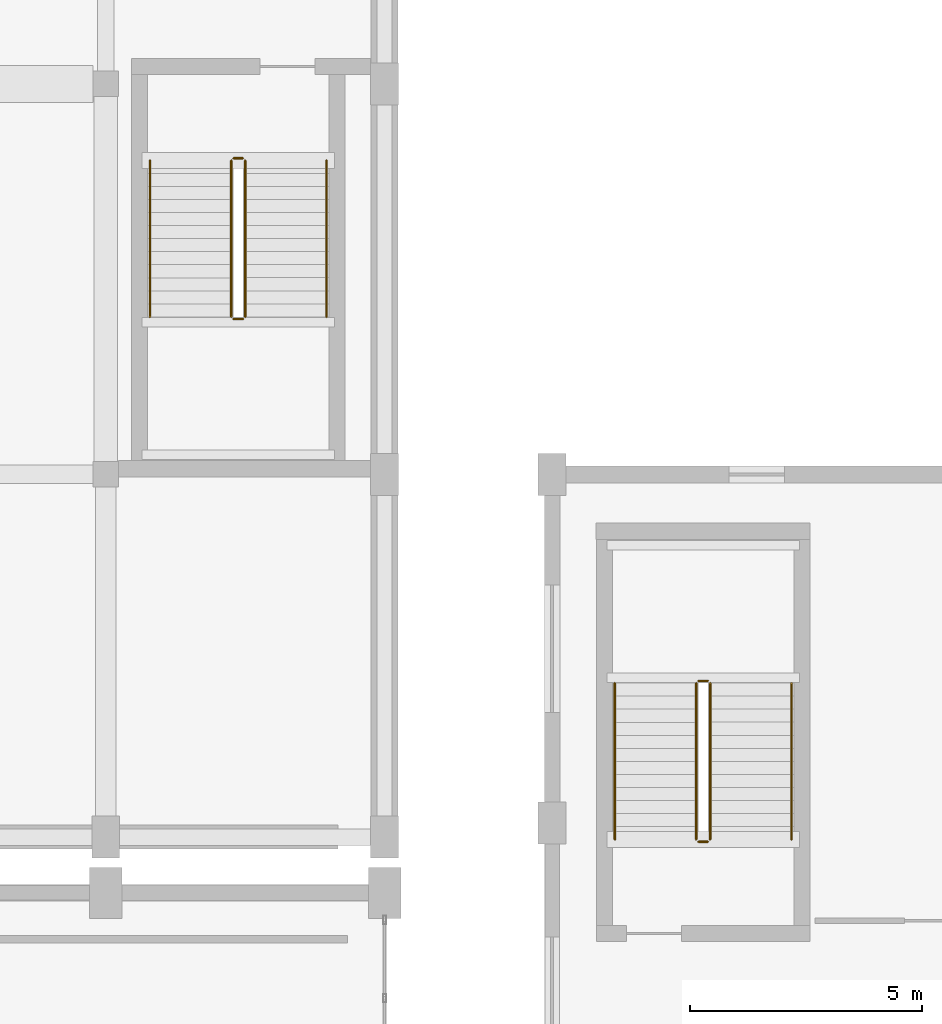
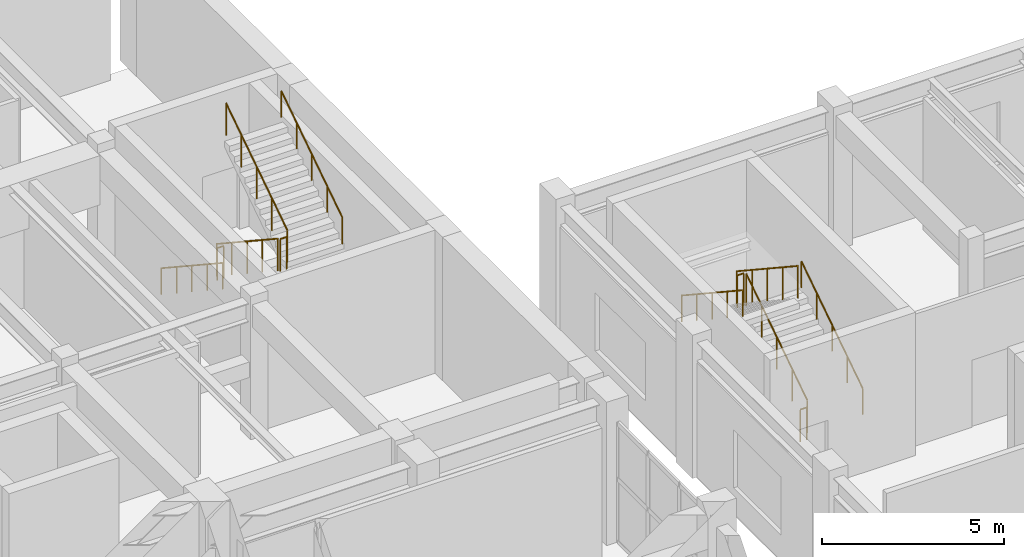
# One storey, part 61 of 62: 12 railings.
"""IFC4 building model written with IfcOpenShell, lengths in metres."""

from ifc_helpers import new_model, si_unit, direction, frame, origin, origin_2d, place, context, subcontext, project, spatial, circle, extrude, material, type_object, element, save


model = new_model("IFC4")

# Units and contexts
model_context = context("Model", 3, precision=1e-05, world=origin(), true_north=direction((0.0, 1.0)))
body_context = subcontext(model_context, "Body", "Model", "MODEL_VIEW")
ifc_project = project(units=[si_unit("LENGTHUNIT", "METRE"), si_unit("AREAUNIT", "SQUARE_METRE"), si_unit("VOLUMEUNIT", "CUBIC_METRE"), si_unit("PLANEANGLEUNIT", "RADIAN"), si_unit("MASSUNIT", "GRAM", prefix="KILO")], contexts=[model_context])

# Site, building, storey
site_placement = place(None, origin())
site = spatial("IfcSite", under=ifc_project, at=site_placement, CompositionType="ELEMENT")
building_placement = place(site_placement, origin())
building = spatial("IfcBuilding", under=site, at=building_placement, Name="Vaelkrest Opera House", CompositionType="ELEMENT")
storey_placement = place(building_placement, frame((0.0, 0.0, 19.800048828125)))
storey = spatial("IfcBuildingStorey", under=building, at=storey_placement, Name="L04", CompositionType="ELEMENT", Elevation=19.800048828125)

# Railings
ifc_material = material(Name="Dark bronze anodized aluminium", Category="aluminium")
railing_type_1 = type_object("IfcRailingType", Name="GR02", PredefinedType="GUARDRAIL", material=ifc_material)
railing_1_placement = place(storey_placement, frame((26.699951171875, 31.949951171875, 0.1845703125)))
element("IfcRailing", 1, at=railing_1_placement, inside=storey, type_object=railing_type_1, Name="L04 ST06 stair guard 1", PredefinedType="GUARDRAIL", context=body_context, shape_type="SweptSolid", body=[
    extrude(circle(Radius=0.02392578125, at=origin_2d()), frame((0.0, 0.0, 1.076171875), z_axis=(0.0, -0.834858096282, 0.550465220583), x_axis=(1.0, 0.0, 0.0)), (0.0, 0.0, 1.0), 4.0244140625),
    extrude(circle(Radius=0.02099609375, at=origin_2d()), origin(), (0.0, 0.0, 1.0), 1.052001953125),
    extrude(circle(Radius=0.02099609375, at=origin_2d()), frame((0.0, -0.83984375, 0.5537109375)), (0.0, 0.0, 1.0), 1.052001953125),
    extrude(circle(Radius=0.02099609375, at=origin_2d()), frame((0.0, -1.679931640625, 1.107666015625)), (0.0, 0.0, 1.0), 1.052001953125),
    extrude(circle(Radius=0.02099609375, at=origin_2d()), frame((0.0, -2.52001953125, 1.66162109375)), (0.0, 0.0, 1.0), 1.052001953125),
    extrude(circle(Radius=0.02099609375, at=origin_2d()), frame((0.0, -3.35986328125, 2.21533203125)), (0.0, 0.0, 1.0), 1.052001953125),
])
railing_2_placement = place(storey_placement, frame((26.75, 28.5400390625, 2.39990234375)))
element("IfcRailing", 2, at=railing_2_placement, inside=storey, type_object=railing_type_1, Name="L04 ST06 stair guard 2", PredefinedType="GUARDRAIL", context=body_context, shape_type="SweptSolid", body=[
    extrude(circle(Radius=0.02392578125, at=origin_2d()), frame((0.0, 0.0, 1.076171875), z_axis=(1.0, 0.0, 0.0), x_axis=(0.0, 1.0, 0.0)), (0.0, 0.0, 1.0), 0.199951171875),
    extrude(circle(Radius=0.02099609375, at=origin_2d()), origin(), (0.0, 0.0, 1.0), 1.052001953125),
    extrude(circle(Radius=0.02099609375, at=origin_2d()), frame((0.199951171875, 0.0, 0.0)), (0.0, 0.0, 1.0), 1.052001953125),
])
railing_3_placement = place(storey_placement, frame((27.0, 28.590087890625, 2.58447265625)))
element("IfcRailing", 3, at=railing_3_placement, inside=storey, type_object=railing_type_1, Name="L04 ST06 stair guard 3", PredefinedType="GUARDRAIL", context=body_context, shape_type="SweptSolid", body=[
    extrude(circle(Radius=0.02392578125, at=origin_2d()), frame((0.0, 0.0, 1.076171875), z_axis=(0.0, 0.83483021737, 0.550507500554), x_axis=(-1.0, 0.0, 0.0)), (0.0, 0.0, 1.0), 4.024658203125),
    extrude(circle(Radius=0.02099609375, at=origin_2d()), origin(), (0.0, 0.0, 1.0), 1.052001953125),
    extrude(circle(Radius=0.02099609375, at=origin_2d()), frame((0.0, 0.83984375, 0.553955078125)), (0.0, 0.0, 1.0), 1.052001953125),
    extrude(circle(Radius=0.02099609375, at=origin_2d()), frame((0.0, 1.679931640625, 1.10791015625)), (0.0, 0.0, 1.0), 1.052001953125),
    extrude(circle(Radius=0.02099609375, at=origin_2d()), frame((0.0, 2.52001953125, 1.66162109375)), (0.0, 0.0, 1.0), 1.052001953125),
    extrude(circle(Radius=0.02099609375, at=origin_2d()), frame((0.0, 3.35986328125, 2.215576171875)), (0.0, 0.0, 1.0), 1.052001953125),
])
railing_4_placement = place(storey_placement, frame((26.75, 32.0, 0.0)))
element("IfcRailing", 4, at=railing_4_placement, inside=storey, type_object=railing_type_1, Name="L04 ST06 stair guard 4", PredefinedType="GUARDRAIL", context=body_context, shape_type="SweptSolid", body=[
    extrude(circle(Radius=0.02392578125, at=origin_2d()), frame((0.0, 0.0, 1.076171875), z_axis=(1.0, 0.0, 0.0), x_axis=(0.0, 1.0, 0.0)), (0.0, 0.0, 1.0), 0.199951171875),
    extrude(circle(Radius=0.02099609375, at=origin_2d()), origin(), (0.0, 0.0, 1.0), 1.052001953125),
    extrude(circle(Radius=0.02099609375, at=origin_2d()), frame((0.199951171875, 0.0, 0.0)), (0.0, 0.0, 1.0), 1.052001953125),
])
railing_5_placement = place(storey_placement, frame((37.0, 17.35009765625, 0.1845703125)))
element("IfcRailing", 5, at=railing_5_placement, inside=storey, type_object=railing_type_1, Name="L04 ST09 stair guard 1", PredefinedType="GUARDRAIL", context=body_context, shape_type="SweptSolid", body=[
    extrude(circle(Radius=0.02392578125, at=origin_2d()), frame((0.0, 0.0, 1.076171875), z_axis=(0.0, 0.834858096282, 0.550465220583), x_axis=(-1.0, 0.0, 0.0)), (0.0, 0.0, 1.0), 4.0244140625),
    extrude(circle(Radius=0.02099609375, at=origin_2d()), origin(), (0.0, 0.0, 1.0), 1.052001953125),
    extrude(circle(Radius=0.02099609375, at=origin_2d()), frame((0.0, 0.83984375, 0.5537109375)), (0.0, 0.0, 1.0), 1.052001953125),
    extrude(circle(Radius=0.02099609375, at=origin_2d()), frame((0.0, 1.679931640625, 1.107666015625)), (0.0, 0.0, 1.0), 1.052001953125),
    extrude(circle(Radius=0.02099609375, at=origin_2d()), frame((0.0, 2.52001953125, 1.66162109375)), (0.0, 0.0, 1.0), 1.052001953125),
    extrude(circle(Radius=0.02099609375, at=origin_2d()), frame((0.0, 3.35986328125, 2.21533203125)), (0.0, 0.0, 1.0), 1.052001953125),
])
railing_6_placement = place(storey_placement, frame((36.949951171875, 20.760009765625, 2.39990234375)))
element("IfcRailing", 6, at=railing_6_placement, inside=storey, type_object=railing_type_1, Name="L04 ST09 stair guard 2", PredefinedType="GUARDRAIL", context=body_context, shape_type="SweptSolid", body=[
    extrude(circle(Radius=0.02392578125, at=origin_2d()), frame((0.0, 0.0, 1.076171875), z_axis=(-1.0, 0.0, 0.0), x_axis=(0.0, -1.0, 0.0)), (0.0, 0.0, 1.0), 0.199951171875),
    extrude(circle(Radius=0.02099609375, at=origin_2d()), origin(), (0.0, 0.0, 1.0), 1.052001953125),
    extrude(circle(Radius=0.02099609375, at=origin_2d()), frame((-0.199951171875, 0.0, 0.0)), (0.0, 0.0, 1.0), 1.052001953125),
])
railing_7_placement = place(storey_placement, frame((36.699951171875, 20.7099609375, 2.58447265625)))
element("IfcRailing", 7, at=railing_7_placement, inside=storey, type_object=railing_type_1, Name="L04 ST09 stair guard 3", PredefinedType="GUARDRAIL", context=body_context, shape_type="SweptSolid", body=[
    extrude(circle(Radius=0.02392578125, at=origin_2d()), frame((0.0, 0.0, 1.076171875), z_axis=(0.0, -0.83483021737, 0.550507500554), x_axis=(1.0, 0.0, 0.0)), (0.0, 0.0, 1.0), 4.024658203125),
    extrude(circle(Radius=0.02099609375, at=origin_2d()), origin(), (0.0, 0.0, 1.0), 1.052001953125),
    extrude(circle(Radius=0.02099609375, at=origin_2d()), frame((0.0, -0.83984375, 0.553955078125)), (0.0, 0.0, 1.0), 1.052001953125),
    extrude(circle(Radius=0.02099609375, at=origin_2d()), frame((0.0, -1.679931640625, 1.10791015625)), (0.0, 0.0, 1.0), 1.052001953125),
    extrude(circle(Radius=0.02099609375, at=origin_2d()), frame((0.0, -2.52001953125, 1.66162109375)), (0.0, 0.0, 1.0), 1.052001953125),
    extrude(circle(Radius=0.02099609375, at=origin_2d()), frame((0.0, -3.35986328125, 2.215576171875)), (0.0, 0.0, 1.0), 1.052001953125),
])
railing_8_placement = place(storey_placement, frame((36.949951171875, 17.300048828125, 0.0)))
element("IfcRailing", 8, at=railing_8_placement, inside=storey, type_object=railing_type_1, Name="L04 ST09 stair guard 4", PredefinedType="GUARDRAIL", context=body_context, shape_type="SweptSolid", body=[
    extrude(circle(Radius=0.02392578125, at=origin_2d()), frame((0.0, 0.0, 1.076171875), z_axis=(-1.0, 0.0, 0.0), x_axis=(0.0, -1.0, 0.0)), (0.0, 0.0, 1.0), 0.199951171875),
    extrude(circle(Radius=0.02099609375, at=origin_2d()), origin(), (0.0, 0.0, 1.0), 1.052001953125),
    extrude(circle(Radius=0.02099609375, at=origin_2d()), frame((-0.199951171875, 0.0, 0.0)), (0.0, 0.0, 1.0), 1.052001953125),
])
railing_type_2 = type_object("IfcRailingType", Name="HR02", PredefinedType="HANDRAIL", material=ifc_material)
railing_9_placement = place(storey_placement, frame((24.949951171875, 31.949951171875, 0.1845703125)))
element("IfcRailing", 9, at=railing_9_placement, inside=storey, type_object=railing_type_2, Name="L04 ST06 stair handrail 1", PredefinedType="HANDRAIL", context=body_context, shape_type="SweptSolid", body=[
    extrude(circle(Radius=0.02392578125, at=origin_2d()), frame((0.0, 0.0, 0.8759765625), z_axis=(0.0, -0.834858096282, 0.550465220583), x_axis=(1.0, 0.0, 0.0)), (0.0, 0.0, 1.0), 4.0244140625),
    extrude(circle(Radius=0.02099609375, at=origin_2d()), origin(), (0.0, 0.0, 1.0), 0.851806640625),
    extrude(circle(Radius=0.02099609375, at=origin_2d()), frame((0.0, -0.83984375, 0.5537109375)), (0.0, 0.0, 1.0), 0.851806640625),
    extrude(circle(Radius=0.02099609375, at=origin_2d()), frame((0.0, -1.679931640625, 1.107666015625)), (0.0, 0.0, 1.0), 0.851806640625),
    extrude(circle(Radius=0.02099609375, at=origin_2d()), frame((0.0, -2.52001953125, 1.66162109375)), (0.0, 0.0, 1.0), 0.851806640625),
    extrude(circle(Radius=0.02099609375, at=origin_2d()), frame((0.0, -3.35986328125, 2.21533203125)), (0.0, 0.0, 1.0), 0.851806640625),
])
railing_10_placement = place(storey_placement, frame((28.75, 28.590087890625, 2.58447265625)))
element("IfcRailing", 10, at=railing_10_placement, inside=storey, type_object=railing_type_2, Name="L04 ST06 stair handrail 2", PredefinedType="HANDRAIL", context=body_context, shape_type="SweptSolid", body=[
    extrude(circle(Radius=0.02392578125, at=origin_2d()), frame((0.0, 0.0, 0.8759765625), z_axis=(0.0, 0.83483021737, 0.550507500554), x_axis=(-1.0, 0.0, 0.0)), (0.0, 0.0, 1.0), 4.024658203125),
    extrude(circle(Radius=0.02099609375, at=origin_2d()), origin(), (0.0, 0.0, 1.0), 0.851806640625),
    extrude(circle(Radius=0.02099609375, at=origin_2d()), frame((0.0, 0.83984375, 0.553955078125)), (0.0, 0.0, 1.0), 0.851806640625),
    extrude(circle(Radius=0.02099609375, at=origin_2d()), frame((0.0, 1.679931640625, 1.10791015625)), (0.0, 0.0, 1.0), 0.851806640625),
    extrude(circle(Radius=0.02099609375, at=origin_2d()), frame((0.0, 2.52001953125, 1.66162109375)), (0.0, 0.0, 1.0), 0.851806640625),
    extrude(circle(Radius=0.02099609375, at=origin_2d()), frame((0.0, 3.35986328125, 2.215576171875)), (0.0, 0.0, 1.0), 0.851806640625),
])
railing_11_placement = place(storey_placement, frame((38.75, 17.35009765625, 0.1845703125)))
element("IfcRailing", 11, at=railing_11_placement, inside=storey, type_object=railing_type_2, Name="L04 ST09 stair handrail 1", PredefinedType="HANDRAIL", context=body_context, shape_type="SweptSolid", body=[
    extrude(circle(Radius=0.02392578125, at=origin_2d()), frame((0.0, 0.0, 0.8759765625), z_axis=(0.0, 0.834858096282, 0.550465220583), x_axis=(-1.0, 0.0, 0.0)), (0.0, 0.0, 1.0), 4.0244140625),
    extrude(circle(Radius=0.02099609375, at=origin_2d()), origin(), (0.0, 0.0, 1.0), 0.851806640625),
    extrude(circle(Radius=0.02099609375, at=origin_2d()), frame((0.0, 0.83984375, 0.5537109375)), (0.0, 0.0, 1.0), 0.851806640625),
    extrude(circle(Radius=0.02099609375, at=origin_2d()), frame((0.0, 1.679931640625, 1.107666015625)), (0.0, 0.0, 1.0), 0.851806640625),
    extrude(circle(Radius=0.02099609375, at=origin_2d()), frame((0.0, 2.52001953125, 1.66162109375)), (0.0, 0.0, 1.0), 0.851806640625),
    extrude(circle(Radius=0.02099609375, at=origin_2d()), frame((0.0, 3.35986328125, 2.21533203125)), (0.0, 0.0, 1.0), 0.851806640625),
])
railing_12_placement = place(storey_placement, frame((34.949951171875, 20.7099609375, 2.58447265625)))
element("IfcRailing", 12, at=railing_12_placement, inside=storey, type_object=railing_type_2, Name="L04 ST09 stair handrail 2", PredefinedType="HANDRAIL", context=body_context, shape_type="SweptSolid", body=[
    extrude(circle(Radius=0.02392578125, at=origin_2d()), frame((0.0, 0.0, 0.8759765625), z_axis=(0.0, -0.83483021737, 0.550507500554), x_axis=(1.0, 0.0, 0.0)), (0.0, 0.0, 1.0), 4.024658203125),
    extrude(circle(Radius=0.02099609375, at=origin_2d()), origin(), (0.0, 0.0, 1.0), 0.851806640625),
    extrude(circle(Radius=0.02099609375, at=origin_2d()), frame((0.0, -0.83984375, 0.553955078125)), (0.0, 0.0, 1.0), 0.851806640625),
    extrude(circle(Radius=0.02099609375, at=origin_2d()), frame((0.0, -1.679931640625, 1.10791015625)), (0.0, 0.0, 1.0), 0.851806640625),
    extrude(circle(Radius=0.02099609375, at=origin_2d()), frame((0.0, -2.52001953125, 1.66162109375)), (0.0, 0.0, 1.0), 0.851806640625),
    extrude(circle(Radius=0.02099609375, at=origin_2d()), frame((0.0, -3.35986328125, 2.215576171875)), (0.0, 0.0, 1.0), 0.851806640625),
])

save(model, "model.ifc")
